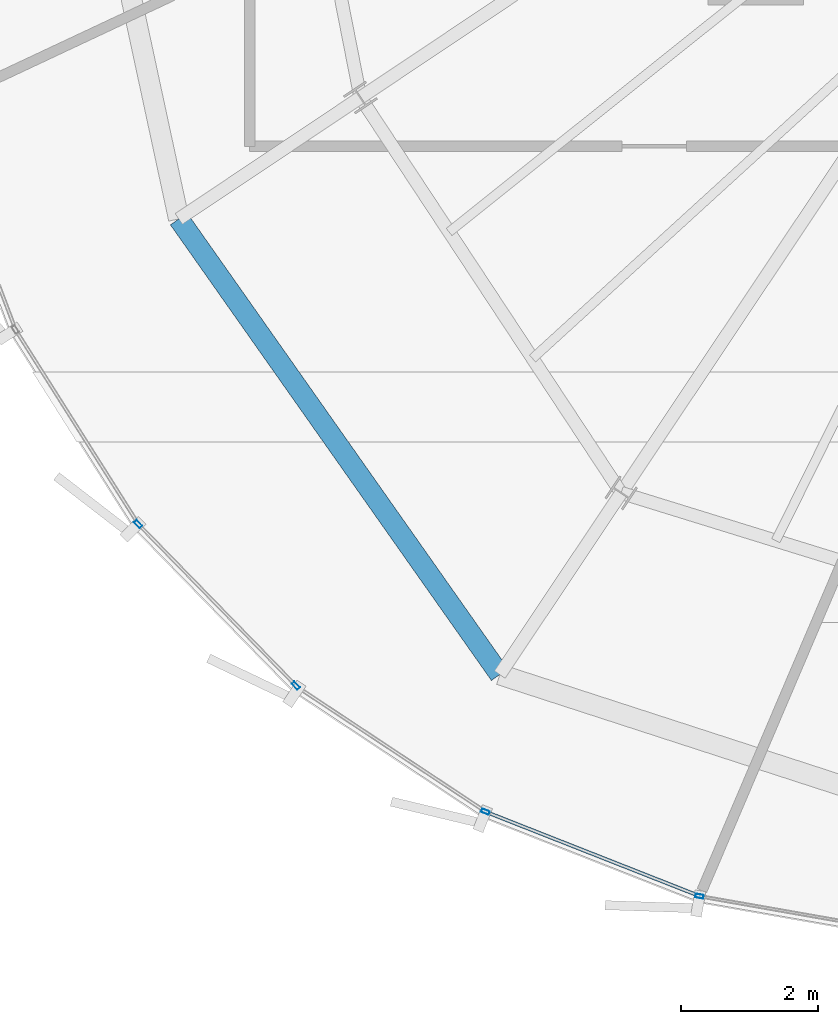
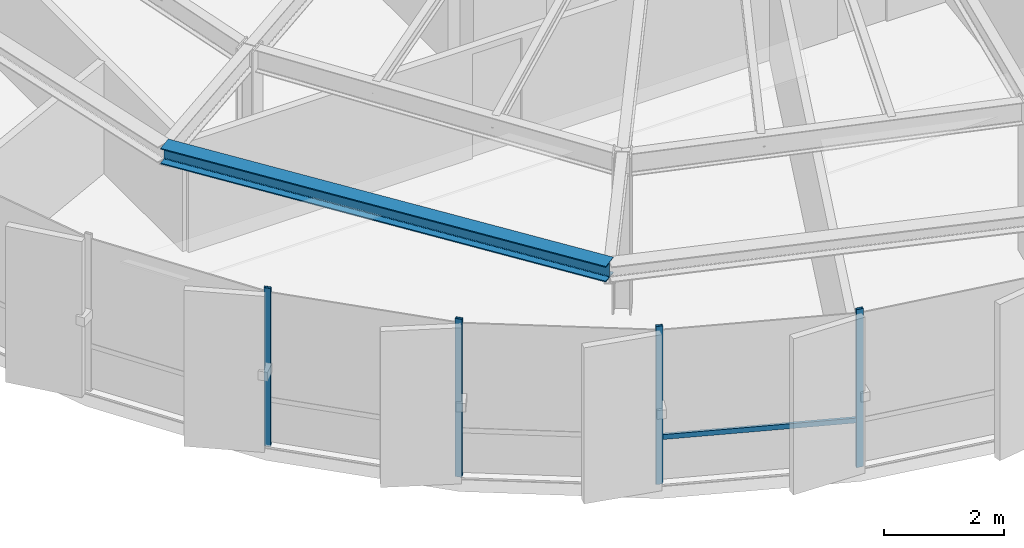
# One storey, part 2 of 33: 5 members, 1 beam, 2 elements without a shape of their own.
"""IFC4 building model written with IfcOpenShell, lengths in metres."""

from ifc_helpers import new_model, si_unit, direction, frame, origin, origin_2d, place, context, subcontext, project, spatial, hollow_rectangle, i_section, extrude, source, transform, mapped, material, layer, layer_set, material_profile, profile_set, type_object, element, aggregate, save


model = new_model("IFC4")

# Units and contexts
model_context = context("Model", 3, precision=1e-05, world=origin(), true_north=direction((0.0, 1.0)))
body_context = subcontext(model_context, "Body", "Model", "MODEL_VIEW")
ifc_project = project(units=[si_unit("LENGTHUNIT", "METRE"), si_unit("AREAUNIT", "SQUARE_METRE"), si_unit("VOLUMEUNIT", "CUBIC_METRE"), si_unit("PLANEANGLEUNIT", "RADIAN"), si_unit("MASSUNIT", "GRAM", prefix="KILO"), si_unit("THERMODYNAMICTEMPERATUREUNIT", "KELVIN")], contexts=[model_context])

# Site, building, storey
site_placement = place(None, origin())
site = spatial("IfcSite", under=ifc_project, at=site_placement, CompositionType="ELEMENT")
building_placement = place(site_placement, origin())
building = spatial("IfcBuilding", under=site, at=building_placement, Name="Kethvar Cultural Tower", CompositionType="ELEMENT")
storey_placement = place(building_placement, frame((0.0, 0.0, 238.75)))
storey = spatial("IfcBuildingStorey", under=building, at=storey_placement, Name="L62", CompositionType="ELEMENT", Elevation=238.75)

# Beam
ifc_material_1 = material(Name="Steel S355J2", Category="steel")
ifc_material_profile_1 = material_profile(ifc_material_1, i_section(OverallWidth=0.300048828125, OverallDepth=0.320068359375, WebThickness=0.011474609375, FlangeThickness=0.0205078125, FilletRadius=0.027099609375, at=origin_2d()), Name="Steel S355J2 — HEB320")
ifc_profile_set_1 = profile_set([ifc_material_profile_1], Name="Steel S355J2 — HEB320")
beam_type = type_object("IfcBeamType", Name="BM-SP320", PredefinedType="SPANDREL", material=ifc_profile_set_1)
shared_shape_1 = source(origin(), body_context, "Body", "SweptSolid", [
    extrude(i_section(OverallWidth=0.300048828125, OverallDepth=0.320068359375, WebThickness=0.011474609375, FlangeThickness=0.0205078125, FilletRadius=0.027099609375, at=origin_2d()), origin(), (0.0, 0.0, 1.0), 8.16259765625),
])
beam_placement = place(storey_placement, frame((30.252197265625, 16.7431640625, 3.048095703125), z_axis=(0.575940812748, -0.817491394579, 0.0), x_axis=(0.817491394579, 0.575940812748, 0.0)))
element("IfcBeam", 1, at=beam_placement, inside=storey, type_object=beam_type, Name="L62 Perimeter Spandrel Beam SP-10", PredefinedType="SPANDREL", context=body_context, shape_type="MappedRepresentation", body=[
    mapped(shared_shape_1, transform((0.0, 0.0, 0.0), scale=1.0)),
])

# Curtain wall, members
ifc_material_2 = material(Name="Aluminium 6063-T6", Category="aluminium")
ifc_layer = layer(ifc_material_2, 0.179931640625, Name="Aluminium 6063-T6", Category="aluminium")
ifc_layer_set = layer_set([ifc_layer], Name="Aluminium 6063-T6 (180 mm)")
curtain_wall_type = type_object("IfcCurtainWallType", Name="CW-SYS-05-Z56", PredefinedType="NOTDEFINED", material=ifc_layer_set)
curtain_wall_1_placement = place(storey_placement, origin())
curtain_wall_1 = element("IfcCurtainWall", 2, at=curtain_wall_1_placement, inside=storey, type_object=curtain_wall_type, Name="L62 Curtain Wall Run 03", PredefinedType="NOTDEFINED")
ifc_material_profile_2 = material_profile(ifc_material_2, hollow_rectangle(XDim=0.054931640625, YDim=0.1201171875, WallThickness=0.00390625, at=origin_2d()), Name="Aluminium 6063-T6 — RHS120x55x4")
ifc_profile_set_2 = profile_set([ifc_material_profile_2], Name="Aluminium 6063-T6 — RHS120x55x4")
member_type_1 = type_object("IfcMemberType", Name="CW-SYS-05-Z56-MUL", PredefinedType="MULLION", material=ifc_profile_set_2)
shared_shape_2 = source(origin(), body_context, "Body", "SweptSolid", [
    extrude(hollow_rectangle(XDim=0.054931640625, YDim=0.1201171875, WallThickness=0.00390625, at=origin_2d()), origin(), (0.0, 0.0, 1.0), 3.2099609375),
])
member_1_placement = place(storey_placement, frame((29.657958984375, 12.275390625, 0.0), z_axis=(0.0, 0.0, 1.0), x_axis=(0.715595209557, 0.69851520818, 0.0)))
member_1 = element("IfcMember", 3, at=member_1_placement, type_object=member_type_1, Name="CW-L62-R03 Mullion 6", PredefinedType="MULLION", context=body_context, shape_type="MappedRepresentation", body=[
    mapped(shared_shape_2, transform((0.0, 0.0, 0.0), scale=1.0)),
])
member_2_placement = place(storey_placement, frame((31.96728515625, 9.909423828125, 0.0), z_axis=(0.0, 0.0, 1.0), x_axis=(0.715595209557, 0.69851520818, 0.0)))
member_2 = element("IfcMember", 4, at=member_2_placement, type_object=member_type_1, Name="CW-L62-R03 Mullion 7", PredefinedType="MULLION", context=body_context, shape_type="MappedRepresentation", body=[
    mapped(shared_shape_2, transform((0.0, 0.0, 0.0), scale=1.0)),
])
aggregate(curtain_wall_1, [member_1, member_2])

curtain_wall_2_placement = place(storey_placement, origin())
curtain_wall_2 = element("IfcCurtainWall", 5, at=curtain_wall_2_placement, inside=storey, type_object=curtain_wall_type, Name="L62 Curtain Wall Run 04", PredefinedType="NOTDEFINED")
member_3_placement = place(storey_placement, frame((34.74365234375, 8.06201171875, 0.0), z_axis=(0.0, 0.0, 1.0), x_axis=(0.366501226724, 0.930417567982, 0.0)))
member_3 = element("IfcMember", 6, at=member_3_placement, type_object=member_type_1, Name="CW-L62-R04 Mullion 2", PredefinedType="MULLION", context=body_context, shape_type="MappedRepresentation", body=[
    mapped(shared_shape_2, transform((0.0, 0.0, 0.0), scale=1.0)),
])
member_4_placement = place(storey_placement, frame((37.878173828125, 6.8251953125, 0.0), z_axis=(0.0, 0.0, 1.0), x_axis=(0.173080940349, 0.984907603833, 0.0)))
member_4 = element("IfcMember", 7, at=member_4_placement, type_object=member_type_1, Name="CW-L62-R04 Mullion 3", PredefinedType="MULLION", context=body_context, shape_type="MappedRepresentation", body=[
    mapped(shared_shape_2, transform((0.0, 0.0, 0.0), scale=1.0)),
])
ifc_material_profile_3 = material_profile(ifc_material_2, hollow_rectangle(XDim=0.050048828125, YDim=0.10009765625, WallThickness=0.00390625, at=origin_2d()), Name="Aluminium 6063-T6 — RHS100x50x4")
ifc_profile_set_3 = profile_set([ifc_material_profile_3], Name="Aluminium 6063-T6 — RHS100x50x4")
member_type_2 = type_object("IfcMemberType", Name="CW-SYS-05-Z56-TRN", PredefinedType="USERDEFINED", material=ifc_profile_set_3)
shared_shape_3 = source(origin(), body_context, "Body", "SweptSolid", [
    extrude(hollow_rectangle(XDim=0.050048828125, YDim=0.10009765625, WallThickness=0.00390625, at=origin_2d()), origin(), (0.0, 0.0, 1.0), 3.310302734375),
])
member_5_placement = place(storey_placement, frame((34.780517578125, 8.047607421875, 0.949951171875), z_axis=(0.93043201673, -0.366464544319, 0.0), x_axis=(0.366464544319, 0.93043201673, 0.0)))
member_5 = element("IfcMember", 8, at=member_5_placement, type_object=member_type_2, Name="CW-L62-R04 Transom 2", ObjectType="TRANSOM", PredefinedType="USERDEFINED", context=body_context, shape_type="MappedRepresentation", body=[
    mapped(shared_shape_3, transform((0.0, 0.0, 0.0), scale=1.0)),
])
aggregate(curtain_wall_2, [member_3, member_4, member_5])

save(model, "model.ifc")
